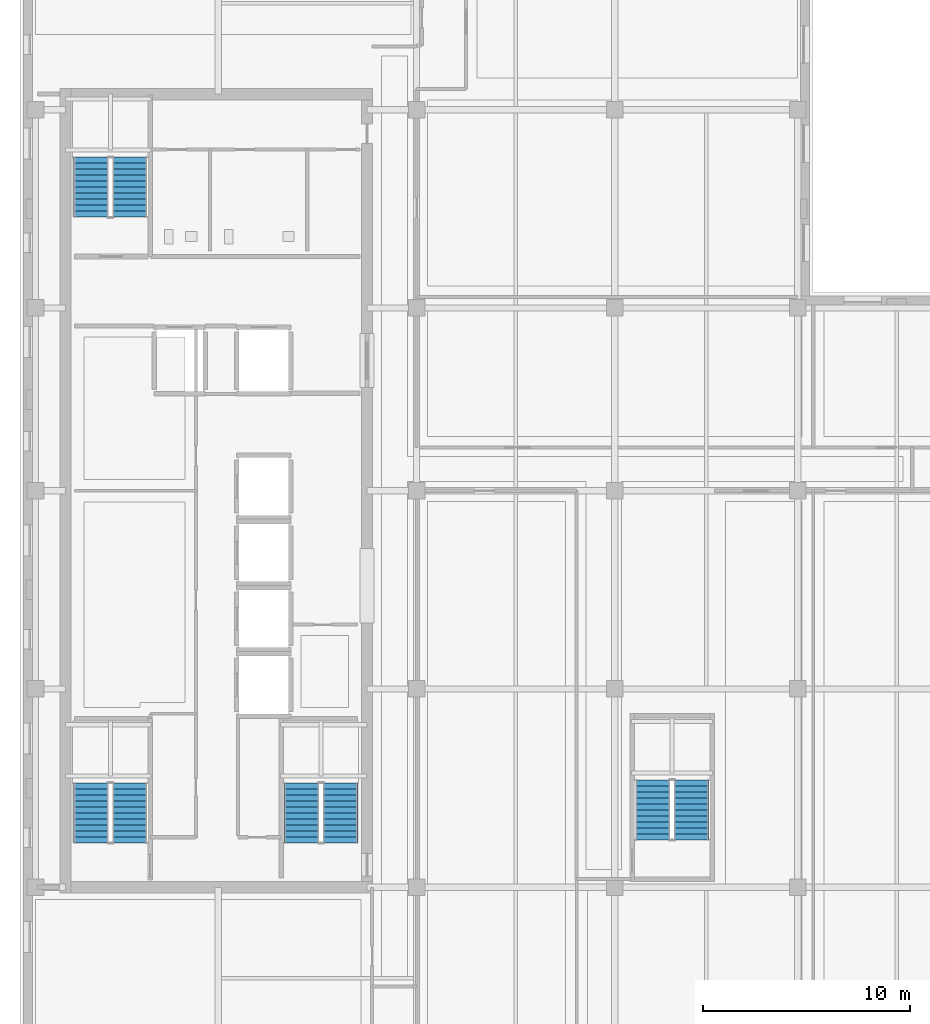
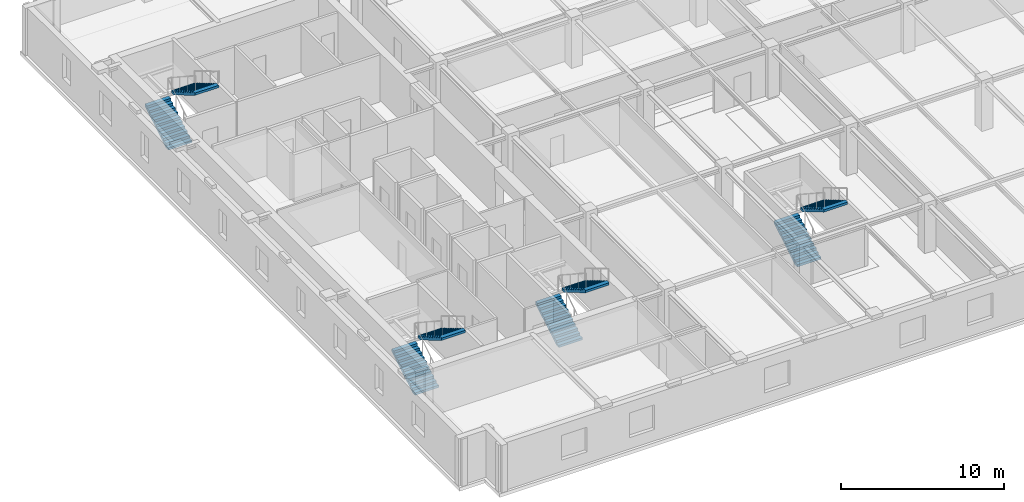
# One storey, part 7 of 12: 8 stair flights, 4 elements without a shape of their own.
"""IFC4 building model written with IfcOpenShell, lengths in metres."""

from ifc_helpers import new_model, si_unit, direction, frame, origin, place, context, subcontext, project, spatial, polyline, outline, extrude, material, type_object, element, aggregate, save


model = new_model("IFC4")

# Units and contexts
model_context = context("Model", 3, precision=1e-05, world=origin(), true_north=direction((0.0, 1.0)))
body_context = subcontext(model_context, "Body", "Model", "MODEL_VIEW")
ifc_project = project(units=[si_unit("LENGTHUNIT", "METRE"), si_unit("AREAUNIT", "SQUARE_METRE"), si_unit("VOLUMEUNIT", "CUBIC_METRE"), si_unit("PLANEANGLEUNIT", "RADIAN"), si_unit("MASSUNIT", "GRAM", prefix="KILO")], contexts=[model_context])

# Site, building, storey
site_placement = place(None, origin())
site = spatial("IfcSite", under=ifc_project, at=site_placement, CompositionType="ELEMENT")
building_placement = place(site_placement, origin())
building = spatial("IfcBuilding", under=site, at=building_placement, Name="Norrvale University Quadrangle", CompositionType="ELEMENT")
storey_placement = place(building_placement, frame((0.0, 0.0, 240.800048828125)))
storey = spatial("IfcBuildingStorey", under=building, at=storey_placement, Name="L61", CompositionType="ELEMENT", Elevation=240.800048828125)

# Stair, stair flights
ifc_material = material(Name="Concrete C40/50", Category="concrete")
stair_type = type_object("IfcStairType", Name="Stair Tower Typ 3800", PredefinedType="TWO_STRAIGHT_RUN_STAIR", material=ifc_material)
stair_1_placement = place(storey_placement, origin())
stair_1 = element("IfcStair", 1, at=stair_1_placement, inside=storey, type_object=stair_type, Name="Exit Stair ST-01 L61", PredefinedType="TWO_STRAIGHT_RUN_STAIR")
stair_flight_type = type_object("IfcStairFlightType", Name="Flight Typ 1500", PredefinedType="STRAIGHT", material=ifc_material)
stair_flight_1_placement = place(storey_placement, frame((3.429931640625, 11.75, 0.0), z_axis=(0.0, 0.0, 1.0), x_axis=(0.0, 1.0, 0.0)))
stair_flight_1 = element("IfcStairFlight", 2, at=stair_flight_1_placement, type_object=stair_flight_type, Name="Exit Stair ST-01 L61 Lower Flight", NumberOfRisers=11, NumberOfTreads=10, PredefinedType="STRAIGHT", RiserHeight=0.172727, TreadLength=0.29, context=body_context, shape_type="SweptSolid", body=[
    extrude(outline(polyline([(0.0, 0.0), (0.0, 0.172607421875), (0.2900390625, 0.172607421875), (0.2900390625, 0.345458984375), (0.580078125, 0.345458984375), (0.580078125, 0.51806640625), (0.8701171875, 0.51806640625), (0.8701171875, 0.69091796875), (1.159912109375, 0.69091796875), (1.159912109375, 0.863525390625), (1.449951171875, 0.863525390625), (1.449951171875, 1.036376953125), (1.739990234375, 1.036376953125), (1.739990234375, 1.208984375), (2.030029296875, 1.208984375), (2.030029296875, 1.3818359375), (2.320068359375, 1.3818359375), (2.320068359375, 1.554443359375), (2.610107421875, 1.554443359375), (2.610107421875, 1.727294921875), (2.89990234375, 1.727294921875), (2.89990234375, 1.89990234375), (2.89990234375, 1.552734375), (0.29296875, 0.0), (0.0, 0.0)])), frame((0.0, 0.83984375, 0.0), z_axis=(0.0, -1.0, 0.0), x_axis=(1.0, 0.0, 0.0)), (0.0, 0.0, 1.0), 1.679931640625),
])
stair_flight_2_placement = place(storey_placement, frame((5.320068359375, 14.64990234375, 1.89990234375), z_axis=(0.0, 0.0, 1.0), x_axis=(0.0, -1.0, 0.0)))
stair_flight_2 = element("IfcStairFlight", 3, at=stair_flight_2_placement, type_object=stair_flight_type, Name="Exit Stair ST-01 L61 Upper Flight", NumberOfRisers=11, NumberOfTreads=10, PredefinedType="STRAIGHT", RiserHeight=0.172727, TreadLength=0.29, context=body_context, shape_type="SweptSolid", body=[
    extrude(outline(polyline([(0.0, 0.0), (0.0, 0.172607421875), (0.2900390625, 0.172607421875), (0.2900390625, 0.345458984375), (0.580078125, 0.345458984375), (0.580078125, 0.51806640625), (0.8701171875, 0.51806640625), (0.8701171875, 0.69091796875), (1.159912109375, 0.69091796875), (1.159912109375, 0.863525390625), (1.449951171875, 0.863525390625), (1.449951171875, 1.036376953125), (1.739990234375, 1.036376953125), (1.739990234375, 1.208984375), (2.030029296875, 1.208984375), (2.030029296875, 1.3818359375), (2.320068359375, 1.3818359375), (2.320068359375, 1.554443359375), (2.610107421875, 1.554443359375), (2.610107421875, 1.727294921875), (2.89990234375, 1.727294921875), (2.89990234375, 1.89990234375), (2.89990234375, 1.552734375), (0.29296875, 0.0), (0.0, 0.0)])), frame((0.0, 0.83984375, 0.0), z_axis=(0.0, -1.0, 0.0), x_axis=(1.0, 0.0, 0.0)), (0.0, 0.0, 1.0), 1.679931640625),
])
aggregate(stair_1, [stair_flight_1, stair_flight_2])

stair_2_placement = place(storey_placement, origin())
stair_2 = element("IfcStair", 4, at=stair_2_placement, inside=storey, type_object=stair_type, Name="Exit Stair ST-02 L61", PredefinedType="TWO_STRAIGHT_RUN_STAIR")
stair_flight_3_placement = place(storey_placement, frame((3.429931640625, 42.050048828125, 0.0), z_axis=(0.0, 0.0, 1.0), x_axis=(0.0, 1.0, 0.0)))
stair_flight_3 = element("IfcStairFlight", 5, at=stair_flight_3_placement, type_object=stair_flight_type, Name="Exit Stair ST-02 L61 Lower Flight", NumberOfRisers=11, NumberOfTreads=10, PredefinedType="STRAIGHT", RiserHeight=0.172727, TreadLength=0.29, context=body_context, shape_type="SweptSolid", body=[
    extrude(outline(polyline([(0.0, 0.0), (0.0, 0.172607421875), (0.2900390625, 0.172607421875), (0.2900390625, 0.345458984375), (0.580078125, 0.345458984375), (0.580078125, 0.51806640625), (0.8701171875, 0.51806640625), (0.8701171875, 0.69091796875), (1.159912109375, 0.69091796875), (1.159912109375, 0.863525390625), (1.449951171875, 0.863525390625), (1.449951171875, 1.036376953125), (1.739990234375, 1.036376953125), (1.739990234375, 1.208984375), (2.030029296875, 1.208984375), (2.030029296875, 1.3818359375), (2.320068359375, 1.3818359375), (2.320068359375, 1.554443359375), (2.610107421875, 1.554443359375), (2.610107421875, 1.727294921875), (2.89990234375, 1.727294921875), (2.89990234375, 1.89990234375), (2.89990234375, 1.552734375), (0.29296875, 0.0), (0.0, 0.0)])), frame((0.0, 0.83984375, 0.0), z_axis=(0.0, -1.0, 0.0), x_axis=(1.0, 0.0, 0.0)), (0.0, 0.0, 1.0), 1.679931640625),
])
stair_flight_4_placement = place(storey_placement, frame((5.320068359375, 44.949951171875, 1.89990234375), z_axis=(0.0, 0.0, 1.0), x_axis=(0.0, -1.0, 0.0)))
stair_flight_4 = element("IfcStairFlight", 6, at=stair_flight_4_placement, type_object=stair_flight_type, Name="Exit Stair ST-02 L61 Upper Flight", NumberOfRisers=11, NumberOfTreads=10, PredefinedType="STRAIGHT", RiserHeight=0.172727, TreadLength=0.29, context=body_context, shape_type="SweptSolid", body=[
    extrude(outline(polyline([(0.0, 0.0), (0.0, 0.172607421875), (0.2900390625, 0.172607421875), (0.2900390625, 0.345458984375), (0.580078125, 0.345458984375), (0.580078125, 0.51806640625), (0.8701171875, 0.51806640625), (0.8701171875, 0.69091796875), (1.159912109375, 0.69091796875), (1.159912109375, 0.863525390625), (1.449951171875, 0.863525390625), (1.449951171875, 1.036376953125), (1.739990234375, 1.036376953125), (1.739990234375, 1.208984375), (2.030029296875, 1.208984375), (2.030029296875, 1.3818359375), (2.320068359375, 1.3818359375), (2.320068359375, 1.554443359375), (2.610107421875, 1.554443359375), (2.610107421875, 1.727294921875), (2.89990234375, 1.727294921875), (2.89990234375, 1.89990234375), (2.89990234375, 1.552734375), (0.29296875, 0.0), (0.0, 0.0)])), frame((0.0, 0.83984375, 0.0), z_axis=(0.0, -1.0, 0.0), x_axis=(1.0, 0.0, 0.0)), (0.0, 0.0, 1.0), 1.679931640625),
])
aggregate(stair_2, [stair_flight_3, stair_flight_4])

stair_3_placement = place(storey_placement, origin())
stair_3 = element("IfcStair", 7, at=stair_3_placement, inside=storey, type_object=stair_type, Name="Exit Stair ST-03 L61", PredefinedType="TWO_STRAIGHT_RUN_STAIR")
stair_flight_5_placement = place(storey_placement, frame((13.6298828125, 11.75, 0.0), z_axis=(0.0, 0.0, 1.0), x_axis=(0.0, 1.0, 0.0)))
stair_flight_5 = element("IfcStairFlight", 8, at=stair_flight_5_placement, type_object=stair_flight_type, Name="Exit Stair ST-03 L61 Lower Flight", NumberOfRisers=11, NumberOfTreads=10, PredefinedType="STRAIGHT", RiserHeight=0.172727, TreadLength=0.29, context=body_context, shape_type="SweptSolid", body=[
    extrude(outline(polyline([(0.0, 0.0), (0.0, 0.172607421875), (0.2900390625, 0.172607421875), (0.2900390625, 0.345458984375), (0.580078125, 0.345458984375), (0.580078125, 0.51806640625), (0.8701171875, 0.51806640625), (0.8701171875, 0.69091796875), (1.159912109375, 0.69091796875), (1.159912109375, 0.863525390625), (1.449951171875, 0.863525390625), (1.449951171875, 1.036376953125), (1.739990234375, 1.036376953125), (1.739990234375, 1.208984375), (2.030029296875, 1.208984375), (2.030029296875, 1.3818359375), (2.320068359375, 1.3818359375), (2.320068359375, 1.554443359375), (2.610107421875, 1.554443359375), (2.610107421875, 1.727294921875), (2.89990234375, 1.727294921875), (2.89990234375, 1.89990234375), (2.89990234375, 1.552734375), (0.29296875, 0.0), (0.0, 0.0)])), frame((0.0, 0.83984375, 0.0), z_axis=(0.0, -1.0, 0.0), x_axis=(1.0, 0.0, 0.0)), (0.0, 0.0, 1.0), 1.679931640625),
])
stair_flight_6_placement = place(storey_placement, frame((15.52001953125, 14.64990234375, 1.89990234375), z_axis=(0.0, 0.0, 1.0), x_axis=(0.0, -1.0, 0.0)))
stair_flight_6 = element("IfcStairFlight", 9, at=stair_flight_6_placement, type_object=stair_flight_type, Name="Exit Stair ST-03 L61 Upper Flight", NumberOfRisers=11, NumberOfTreads=10, PredefinedType="STRAIGHT", RiserHeight=0.172727, TreadLength=0.29, context=body_context, shape_type="SweptSolid", body=[
    extrude(outline(polyline([(0.0, 0.0), (0.0, 0.172607421875), (0.2900390625, 0.172607421875), (0.2900390625, 0.345458984375), (0.580078125, 0.345458984375), (0.580078125, 0.51806640625), (0.8701171875, 0.51806640625), (0.8701171875, 0.69091796875), (1.159912109375, 0.69091796875), (1.159912109375, 0.863525390625), (1.449951171875, 0.863525390625), (1.449951171875, 1.036376953125), (1.739990234375, 1.036376953125), (1.739990234375, 1.208984375), (2.030029296875, 1.208984375), (2.030029296875, 1.3818359375), (2.320068359375, 1.3818359375), (2.320068359375, 1.554443359375), (2.610107421875, 1.554443359375), (2.610107421875, 1.727294921875), (2.89990234375, 1.727294921875), (2.89990234375, 1.89990234375), (2.89990234375, 1.552734375), (0.29296875, 0.0), (0.0, 0.0)])), frame((0.0, 0.83984375, 0.0), z_axis=(0.0, -1.0, 0.0), x_axis=(1.0, 0.0, 0.0)), (0.0, 0.0, 1.0), 1.679931640625),
])
aggregate(stair_3, [stair_flight_5, stair_flight_6])

stair_4_placement = place(storey_placement, origin())
stair_4 = element("IfcStair", 10, at=stair_4_placement, inside=storey, type_object=stair_type, Name="Exit Stair ST-04 L61", PredefinedType="TWO_STRAIGHT_RUN_STAIR")
stair_flight_7_placement = place(storey_placement, frame((30.6298828125, 11.89990234375, 0.0), z_axis=(0.0, 0.0, 1.0), x_axis=(0.0, 1.0, 0.0)))
stair_flight_7 = element("IfcStairFlight", 11, at=stair_flight_7_placement, type_object=stair_flight_type, Name="Exit Stair ST-04 L61 Lower Flight", NumberOfRisers=11, NumberOfTreads=10, PredefinedType="STRAIGHT", RiserHeight=0.172727, TreadLength=0.29, context=body_context, shape_type="SweptSolid", body=[
    extrude(outline(polyline([(0.0, 0.0), (0.0, 0.172607421875), (0.2900390625, 0.172607421875), (0.2900390625, 0.345458984375), (0.580078125, 0.345458984375), (0.580078125, 0.51806640625), (0.8701171875, 0.51806640625), (0.8701171875, 0.69091796875), (1.159912109375, 0.69091796875), (1.159912109375, 0.863525390625), (1.449951171875, 0.863525390625), (1.449951171875, 1.036376953125), (1.739990234375, 1.036376953125), (1.739990234375, 1.208984375), (2.030029296875, 1.208984375), (2.030029296875, 1.3818359375), (2.320068359375, 1.3818359375), (2.320068359375, 1.554443359375), (2.610107421875, 1.554443359375), (2.610107421875, 1.727294921875), (2.89990234375, 1.727294921875), (2.89990234375, 1.89990234375), (2.89990234375, 1.552734375), (0.29296875, 0.0), (0.0, 0.0)])), frame((0.0, 0.83984375, 0.0), z_axis=(0.0, -1.0, 0.0), x_axis=(1.0, 0.0, 0.0)), (0.0, 0.0, 1.0), 1.679931640625),
])
stair_flight_8_placement = place(storey_placement, frame((32.52001953125, 14.800048828125, 1.89990234375), z_axis=(0.0, 0.0, 1.0), x_axis=(0.0, -1.0, 0.0)))
stair_flight_8 = element("IfcStairFlight", 12, at=stair_flight_8_placement, type_object=stair_flight_type, Name="Exit Stair ST-04 L61 Upper Flight", NumberOfRisers=11, NumberOfTreads=10, PredefinedType="STRAIGHT", RiserHeight=0.172727, TreadLength=0.29, context=body_context, shape_type="SweptSolid", body=[
    extrude(outline(polyline([(0.0, 0.0), (0.0, 0.172607421875), (0.2900390625, 0.172607421875), (0.2900390625, 0.345458984375), (0.580078125, 0.345458984375), (0.580078125, 0.51806640625), (0.8701171875, 0.51806640625), (0.8701171875, 0.69091796875), (1.159912109375, 0.69091796875), (1.159912109375, 0.863525390625), (1.449951171875, 0.863525390625), (1.449951171875, 1.036376953125), (1.739990234375, 1.036376953125), (1.739990234375, 1.208984375), (2.030029296875, 1.208984375), (2.030029296875, 1.3818359375), (2.320068359375, 1.3818359375), (2.320068359375, 1.554443359375), (2.610107421875, 1.554443359375), (2.610107421875, 1.727294921875), (2.89990234375, 1.727294921875), (2.89990234375, 1.89990234375), (2.89990234375, 1.552734375), (0.29296875, 0.0), (0.0, 0.0)])), frame((0.0, 0.83984375, 0.0), z_axis=(0.0, -1.0, 0.0), x_axis=(1.0, 0.0, 0.0)), (0.0, 0.0, 1.0), 1.679931640625),
])
aggregate(stair_4, [stair_flight_7, stair_flight_8])

save(model, "model.ifc")
